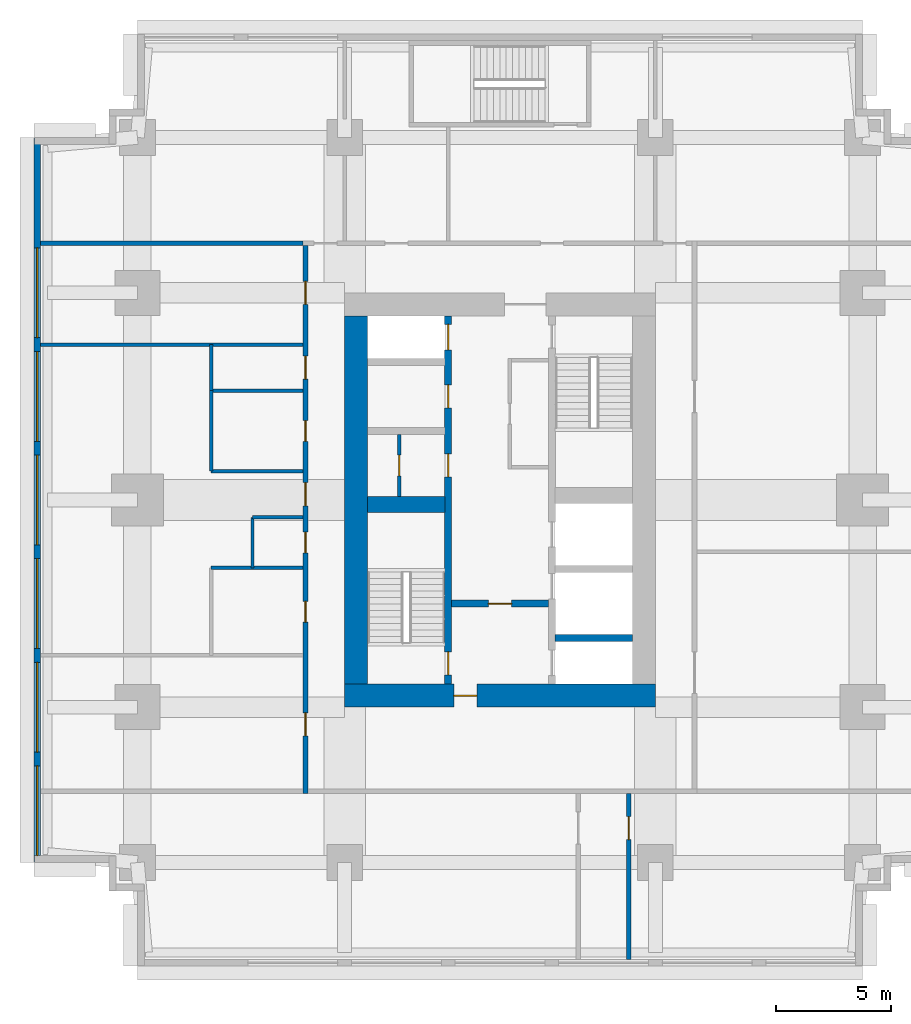
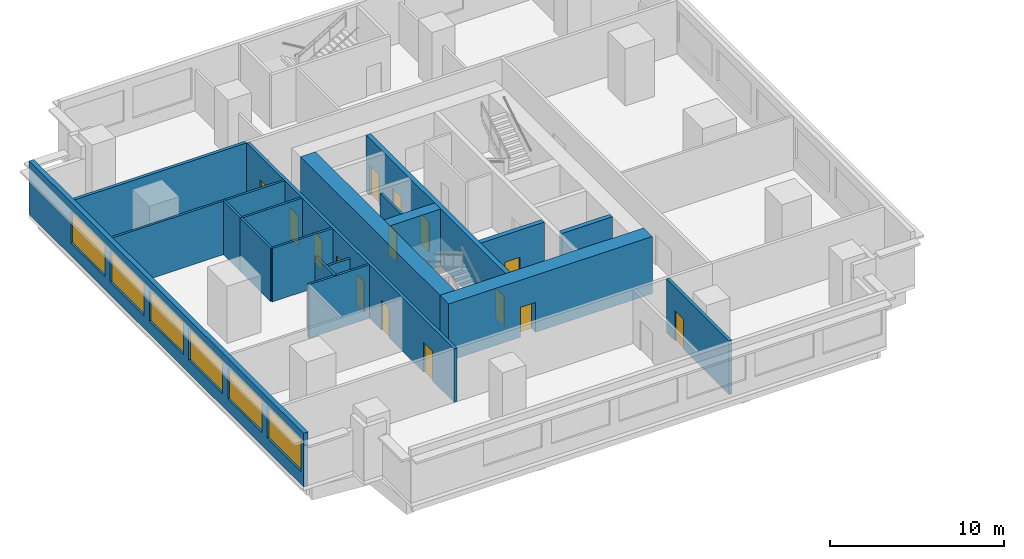
# One storey, part 3 of 11: 19 walls, 15 doors, 6 windows, 21 openings.
"""IFC4 building model written with IfcOpenShell, lengths in metres."""

from ifc_helpers import new_model, si_unit, direction, frame, frame_2d, origin, place, context, subcontext, project, spatial, rectangle, extrude, material, layer, layer_set, type_object, element, fill, save


model = new_model("IFC4")

# Units and contexts
model_context = context("Model", 3, precision=1e-05, world=origin(), true_north=direction((0.0, 1.0)))
body_context = subcontext(model_context, "Body", "Model", "MODEL_VIEW")
ifc_project = project(units=[si_unit("LENGTHUNIT", "METRE"), si_unit("AREAUNIT", "SQUARE_METRE"), si_unit("VOLUMEUNIT", "CUBIC_METRE"), si_unit("PLANEANGLEUNIT", "RADIAN"), si_unit("MASSUNIT", "GRAM", prefix="KILO")], contexts=[model_context])

# Site, building, storey
site_placement = place(None, origin())
site = spatial("IfcSite", under=ifc_project, at=site_placement, CompositionType="ELEMENT")
building_placement = place(site_placement, origin())
building = spatial("IfcBuilding", under=site, at=building_placement, Name="Namib Vertical Campus", CompositionType="ELEMENT")
storey_placement = place(building_placement, frame((0.0, 0.0, 205.0)))
storey = spatial("IfcBuildingStorey", under=building, at=storey_placement, Name="L48", CompositionType="ELEMENT", Elevation=205.0)

# Wall, openings, doors
ifc_material_1 = material(Name="Concrete C60/75", Category="concrete")
ifc_layer_1 = layer(ifc_material_1, 0.300048828125)
ifc_layer_set_1 = layer_set([ifc_layer_1], Name="Concrete C60/75")
wall_type_1 = type_object("IfcWallType", Name="Core inner wall 300", PredefinedType="SHEAR", material=ifc_layer_set_1)
wall_1_placement = place(storey_placement, frame((18.0, 12.25, 0.0), z_axis=(0.0, 0.0, 1.0), x_axis=(0.0, 1.0, 0.0)))
wall_1 = element("IfcWall", 1, at=wall_1_placement, inside=storey, type_object=wall_type_1, Name="Core inner wall A L48 W1", PredefinedType="SHEAR", context=body_context, shape_type="SweptSolid", body=[
    extrude(rectangle(XDim=16.0, YDim=0.300048828125, at=frame_2d((8.0, 0.0))), origin(), (0.0, 0.0, 1.0), 4.0),
])
opening_1_placement = place(wall_1_placement, frame((0.39990234375, 0.0, 0.0)))
opening_1 = element("IfcOpeningElement", 2, at=opening_1_placement, cuts=wall_1, Name="Opening FD1", PredefinedType="OPENING", context=body_context, shape_type="SweptSolid", body=[
    extrude(rectangle(XDim=1.0, YDim=2.10009765625, at=frame_2d((0.5, 1.050048828125))), frame((0.0, 0.159912109375, 0.0), z_axis=(0.0, -1.0, 0.0), x_axis=(1.0, 0.0, 0.0)), (0.0, 0.0, 1.0), 0.320068359375),
])
opening_2_placement = place(wall_1_placement, frame((14.52490234375, 0.0, 0.0)))
opening_2 = element("IfcOpeningElement", 3, at=opening_2_placement, cuts=wall_1, Name="Opening LD1", PredefinedType="OPENING", context=body_context, shape_type="SweptSolid", body=[
    extrude(rectangle(XDim=1.10009765625, YDim=2.10009765625, at=frame_2d((0.550048828125, 1.050048828125))), frame((0.0, 0.159912109375, 0.0), z_axis=(0.0, -1.0, 0.0), x_axis=(1.0, 0.0, 0.0)), (0.0, 0.0, 1.0), 0.320068359375),
])
opening_3_placement = place(wall_1_placement, frame((9.0, 0.0, 0.0)))
opening_3 = element("IfcOpeningElement", 4, at=opening_3_placement, cuts=wall_1, Name="Opening D1", PredefinedType="OPENING", context=body_context, shape_type="SweptSolid", body=[
    extrude(rectangle(XDim=1.0, YDim=2.10009765625, at=frame_2d((0.5, 1.050048828125))), frame((0.0, 0.159912109375, 0.0), z_axis=(0.0, -1.0, 0.0), x_axis=(1.0, 0.0, 0.0)), (0.0, 0.0, 1.0), 0.320068359375),
])
opening_4_placement = place(wall_1_placement, frame((12.0, 0.0, 0.0)))
opening_4 = element("IfcOpeningElement", 5, at=opening_4_placement, cuts=wall_1, Name="Opening D1", PredefinedType="OPENING", context=body_context, shape_type="SweptSolid", body=[
    extrude(rectangle(XDim=1.0, YDim=2.10009765625, at=frame_2d((0.5, 1.050048828125))), frame((0.0, 0.159912109375, 0.0), z_axis=(0.0, -1.0, 0.0), x_axis=(1.0, 0.0, 0.0)), (0.0, 0.0, 1.0), 0.320068359375),
])
ifc_material_2 = material(Name="Timber door leaf", Category="wood")
door_type_1 = type_object("IfcDoorType", Name="Door single 1000x2100", OperationType="SINGLE_SWING_LEFT", PredefinedType="DOOR", material=ifc_material_2)
door_1_placement = place(opening_3_placement, origin())
door_1 = element("IfcDoor", 6, at=door_1_placement, inside=storey, type_object=door_type_1, Name="Door D1 Records store A L48 P1", OperationType="SINGLE_SWING_LEFT", OverallHeight=2.10009765625, OverallWidth=1.0, PredefinedType="DOOR", context=body_context, shape_type="SweptSolid", body=[
    extrude(rectangle(XDim=1.0, YDim=2.10009765625, at=frame_2d((0.5, 1.050048828125))), frame((0.0, 0.02490234375, 0.0), z_axis=(0.0, -1.0, 0.0), x_axis=(1.0, 0.0, 0.0)), (0.0, 0.0, 1.0), 0.050048828125),
])
fill(opening_3, door_1)
door_2_placement = place(opening_4_placement, origin())
door_2 = element("IfcDoor", 7, at=door_2_placement, inside=storey, type_object=door_type_1, Name="Door D1 Staff pantry A L48 P2", OperationType="SINGLE_SWING_LEFT", OverallHeight=2.10009765625, OverallWidth=1.0, PredefinedType="DOOR", context=body_context, shape_type="SweptSolid", body=[
    extrude(rectangle(XDim=1.0, YDim=2.10009765625, at=frame_2d((0.5, 1.050048828125))), frame((0.0, 0.02490234375, 0.0), z_axis=(0.0, -1.0, 0.0), x_axis=(1.0, 0.0, 0.0)), (0.0, 0.0, 1.0), 0.050048828125),
])
fill(opening_4, door_2)
ifc_material_3 = material(Name="Steel fire door", Category="steel")
door_type_2 = type_object("IfcDoorType", Name="Fire door 1000x2100", OperationType="SINGLE_SWING_RIGHT", PredefinedType="DOOR", material=ifc_material_3)
door_3_placement = place(opening_1_placement, origin())
door_3 = element("IfcDoor", 8, at=door_3_placement, inside=storey, type_object=door_type_2, Name="Stair door FD1 A L48 S1", OperationType="SINGLE_SWING_LEFT", OverallHeight=2.10009765625, OverallWidth=1.0, PredefinedType="DOOR", context=body_context, shape_type="SweptSolid", body=[
    extrude(rectangle(XDim=1.0, YDim=2.10009765625, at=frame_2d((0.5, 1.050048828125))), frame((0.0, 0.02490234375, 0.0), z_axis=(0.0, -1.0, 0.0), x_axis=(1.0, 0.0, 0.0)), (0.0, 0.0, 1.0), 0.050048828125),
])
fill(opening_1, door_3)
ifc_material_4 = material(Name="Stainless steel lift door", Category="steel")
door_type_3 = type_object("IfcDoorType", Name="Lift landing door 1100x2100", OperationType="DOUBLE_DOOR_SLIDING", PredefinedType="DOOR", material=ifc_material_4)
door_4_placement = place(opening_2_placement, origin())
door_4 = element("IfcDoor", 9, at=door_4_placement, inside=storey, type_object=door_type_3, Name="Lift landing door LD1 A-P3 L48", OperationType="DOUBLE_DOOR_SLIDING", OverallHeight=2.10009765625, OverallWidth=1.10009765625, PredefinedType="DOOR", context=body_context, shape_type="SweptSolid", body=[
    extrude(rectangle(XDim=1.10009765625, YDim=2.10009765625, at=frame_2d((0.550048828125, 1.050048828125))), frame((0.0, 0.02490234375, 0.0), z_axis=(0.0, -1.0, 0.0), x_axis=(1.0, 0.0, 0.0)), (0.0, 0.0, 1.0), 0.050048828125),
])
fill(opening_2, door_4)

# Wall, opening, door
wall_2_placement = place(storey_placement, frame((18.14990234375, 15.75, 0.0), z_axis=(0.0, 0.0, 1.0), x_axis=(1.0, 0.0, 0.0)))
wall_2 = element("IfcWall", 10, at=wall_2_placement, inside=storey, type_object=wall_type_1, Name="Core inner wall A L48 W4", PredefinedType="SHEAR", context=body_context, shape_type="SweptSolid", body=[
    extrude(rectangle(XDim=4.2001953125, YDim=0.300048828125, at=frame_2d((2.10009765625, 0.0))), origin(), (0.0, 0.0, 1.0), 4.0),
])
opening_5_placement = place(wall_2_placement, frame((1.60009765625, 0.0, 0.0)))
opening_5 = element("IfcOpeningElement", 11, at=opening_5_placement, cuts=wall_2, Name="Opening FD5", PredefinedType="OPENING", context=body_context, shape_type="SweptSolid", body=[
    extrude(rectangle(XDim=1.0, YDim=2.10009765625, at=frame_2d((0.5, 1.050048828125))), frame((0.0, 0.159912109375, 0.0), z_axis=(0.0, -1.0, 0.0), x_axis=(1.0, 0.0, 0.0)), (0.0, 0.0, 1.0), 0.320068359375),
])
ifc_material_5 = material(Name="Steel fire door", Category="steel")
door_type_4 = type_object("IfcDoorType", Name="Fire door 1000x2100 120 min", OperationType="SINGLE_SWING_RIGHT", PredefinedType="DOOR", material=ifc_material_5)
door_5_placement = place(opening_5_placement, frame((1.0, 0.0, 0.0), z_axis=(0.0, 0.0, 1.0), x_axis=(-1.0, 0.0, 0.0)))
door_5 = element("IfcDoor", 12, at=door_5_placement, inside=storey, type_object=door_type_4, Name="Lobby door FD5 A L48", OperationType="SINGLE_SWING_RIGHT", OverallHeight=2.10009765625, OverallWidth=1.0, PredefinedType="DOOR", context=body_context, shape_type="SweptSolid", body=[
    extrude(rectangle(XDim=1.0, YDim=2.10009765625, at=frame_2d((0.5, 1.050048828125))), frame((0.0, 0.02490234375, 0.0), z_axis=(0.0, -1.0, 0.0), x_axis=(1.0, 0.0, 0.0)), (0.0, 0.0, 1.0), 0.050048828125),
])
fill(opening_5, door_5)

# Walls
wall_3_placement = place(storey_placement, frame((22.64990234375, 14.25, 0.0), z_axis=(0.0, 0.0, 1.0), x_axis=(1.0, 0.0, 0.0)))
element("IfcWall", 13, at=wall_3_placement, inside=storey, type_object=wall_type_1, Name="Core inner wall A L48 W5", PredefinedType="SHEAR", context=body_context, shape_type="SweptSolid", body=[
    extrude(rectangle(XDim=3.35009765625, YDim=0.300048828125, at=frame_2d((1.675048828125, 0.0))), origin(), (0.0, 0.0, 1.0), 4.0),
])
ifc_material_6 = material(Name="Concrete C60/75", Category="concrete")
ifc_layer_2 = layer(ifc_material_6, 0.699951171875)
ifc_layer_set_2 = layer_set([ifc_layer_2], Name="Concrete C60/75")
wall_type_2 = type_object("IfcWallType", Name="Core shear wall 700", PredefinedType="SHEAR", material=ifc_layer_set_2)
wall_4_placement = place(storey_placement, frame((14.5, 20.050048828125, 0.0), z_axis=(0.0, 0.0, 1.0), x_axis=(1.0, 0.0, 0.0)))
element("IfcWall", 14, at=wall_4_placement, inside=storey, type_object=wall_type_2, Name="Core shear wall A L48 W3", PredefinedType="SHEAR", context=body_context, shape_type="SweptSolid", body=[
    extrude(rectangle(XDim=3.35009765625, YDim=0.699951171875, at=frame_2d((1.675048828125, 0.0))), origin(), (0.0, 0.0, 1.0), 4.0),
])

# Wall, opening, door
ifc_material_7 = material(Name="Concrete C60/75", Category="concrete")
ifc_layer_3 = layer(ifc_material_7, 1.0)
ifc_layer_set_3 = layer_set([ifc_layer_3], Name="Concrete C60/75")
wall_type_3 = type_object("IfcWallType", Name="Core wall 1000", PredefinedType="SHEAR", material=ifc_layer_set_3)
wall_5_placement = place(storey_placement, frame((13.5, 11.75, 0.0), z_axis=(0.0, 0.0, 1.0), x_axis=(1.0, 0.0, 0.0)))
wall_5 = element("IfcWall", 15, at=wall_5_placement, inside=storey, type_object=wall_type_3, Name="Core wall A L48 1", PredefinedType="SHEAR", context=body_context, shape_type="SweptSolid", body=[
    extrude(rectangle(XDim=13.5, YDim=1.0, at=frame_2d((6.75, 0.0))), origin(), (0.0, 0.0, 1.0), 4.0),
])
opening_6_placement = place(wall_5_placement, frame((4.75, 0.0, 0.0)))
opening_6 = element("IfcOpeningElement", 16, at=opening_6_placement, cuts=wall_5, Name="Opening FD5", PredefinedType="OPENING", context=body_context, shape_type="SweptSolid", body=[
    extrude(rectangle(XDim=1.0, YDim=2.10009765625, at=frame_2d((0.5, 1.050048828125))), frame((0.0, 0.510009765625, 0.0), z_axis=(0.0, -1.0, 0.0), x_axis=(1.0, 0.0, 0.0)), (0.0, 0.0, 1.0), 1.02001953125),
])
door_6_placement = place(opening_6_placement, origin())
door_6 = element("IfcDoor", 17, at=door_6_placement, inside=storey, type_object=door_type_4, Name="Firefighting lobby door FD5 A L48", OperationType="SINGLE_SWING_LEFT", OverallHeight=2.10009765625, OverallWidth=1.0, PredefinedType="DOOR", context=body_context, shape_type="SweptSolid", body=[
    extrude(rectangle(XDim=1.0, YDim=2.10009765625, at=frame_2d((0.5, 1.050048828125))), frame((0.0, 0.02490234375, 0.0), z_axis=(0.0, -1.0, 0.0), x_axis=(1.0, 0.0, 0.0)), (0.0, 0.0, 1.0), 0.050048828125),
])
fill(opening_6, door_6)

# Wall
wall_6_placement = place(storey_placement, frame((14.0, 28.25, 0.0), z_axis=(0.0, 0.0, 1.0), x_axis=(0.0, -1.0, 0.0)))
element("IfcWall", 18, at=wall_6_placement, inside=storey, type_object=wall_type_3, Name="Core wall A L48 4", PredefinedType="SHEAR", context=body_context, shape_type="SweptSolid", body=[
    extrude(rectangle(XDim=16.0, YDim=1.0, at=frame_2d((8.0, 0.0))), origin(), (0.0, 0.0, 1.0), 4.0),
])

# Wall, openings, doors
ifc_material_8 = material(Name="Concrete masonry", Category="masonry")
ifc_layer_4 = layer(ifc_material_8, 0.199951171875)
ifc_layer_set_4 = layer_set([ifc_layer_4], Name="Corridor wall 200")
wall_type_4 = type_object("IfcWallType", Name="Corridor wall 200", PredefinedType="SOLIDWALL", material=ifc_layer_set_4)
wall_7_placement = place(storey_placement, frame((11.800048828125, 31.300048828125, 0.0), z_axis=(0.0, 0.0, 1.0), x_axis=(0.0, -1.0, 0.0)))
wall_7 = element("IfcWall", 19, at=wall_7_placement, inside=storey, type_object=wall_type_4, Name="Corridor wall A L48 CW", PredefinedType="SOLIDWALL", context=body_context, shape_type="SweptSolid", body=[
    extrude(rectangle(XDim=23.800048828125, YDim=0.199951171875, at=frame_2d((11.89990234375, 0.0))), origin(), (0.0, 0.0, 1.0), 3.75),
])
opening_7_placement = place(wall_7_placement, frame((20.300048828125, 0.0, 0.0)))
opening_7 = element("IfcOpeningElement", 20, at=opening_7_placement, cuts=wall_7, Name="Opening CD1", PredefinedType="OPENING", context=body_context, shape_type="SweptSolid", body=[
    extrude(rectangle(XDim=1.0, YDim=2.10009765625, at=frame_2d((0.5, 1.050048828125))), frame((0.0, 0.10986328125, 0.0), z_axis=(0.0, -1.0, 0.0), x_axis=(1.0, 0.0, 0.0)), (0.0, 0.0, 1.0), 0.219970703125),
])
opening_8_placement = place(wall_7_placement, frame((15.449951171875, 0.0, 0.0)))
opening_8 = element("IfcOpeningElement", 21, at=opening_8_placement, cuts=wall_7, Name="Opening CD3", PredefinedType="OPENING", context=body_context, shape_type="SweptSolid", body=[
    extrude(rectangle(XDim=0.89990234375, YDim=2.10009765625, at=frame_2d((0.449951171875, 1.050048828125))), frame((0.0, 0.10986328125, 0.0), z_axis=(0.0, -1.0, 0.0), x_axis=(1.0, 0.0, 0.0)), (0.0, 0.0, 1.0), 0.219970703125),
])
opening_9_placement = place(wall_7_placement, frame((12.449951171875, 0.0, 0.0)))
opening_9 = element("IfcOpeningElement", 22, at=opening_9_placement, cuts=wall_7, Name="Opening CD3", PredefinedType="OPENING", context=body_context, shape_type="SweptSolid", body=[
    extrude(rectangle(XDim=0.89990234375, YDim=2.10009765625, at=frame_2d((0.449951171875, 1.050048828125))), frame((0.0, 0.10986328125, 0.0), z_axis=(0.0, -1.0, 0.0), x_axis=(1.0, 0.0, 0.0)), (0.0, 0.0, 1.0), 0.219970703125),
])
opening_10_placement = place(wall_7_placement, frame((7.60009765625, 0.0, 0.0)))
opening_10 = element("IfcOpeningElement", 23, at=opening_10_placement, cuts=wall_7, Name="Opening CD3", PredefinedType="OPENING", context=body_context, shape_type="SweptSolid", body=[
    extrude(rectangle(XDim=0.89990234375, YDim=2.10009765625, at=frame_2d((0.449951171875, 1.050048828125))), frame((0.0, 0.10986328125, 0.0), z_axis=(0.0, -1.0, 0.0), x_axis=(1.0, 0.0, 0.0)), (0.0, 0.0, 1.0), 0.219970703125),
])
opening_11_placement = place(wall_7_placement, frame((4.800048828125, 0.0, 0.0)))
opening_11 = element("IfcOpeningElement", 24, at=opening_11_placement, cuts=wall_7, Name="Opening CD1", PredefinedType="OPENING", context=body_context, shape_type="SweptSolid", body=[
    extrude(rectangle(XDim=1.0, YDim=2.10009765625, at=frame_2d((0.5, 1.050048828125))), frame((0.0, 0.10986328125, 0.0), z_axis=(0.0, -1.0, 0.0), x_axis=(1.0, 0.0, 0.0)), (0.0, 0.0, 1.0), 0.219970703125),
])
opening_12_placement = place(wall_7_placement, frame((10.300048828125, 0.0, 0.0)))
opening_12 = element("IfcOpeningElement", 25, at=opening_12_placement, cuts=wall_7, Name="Opening CD1", PredefinedType="OPENING", context=body_context, shape_type="SweptSolid", body=[
    extrude(rectangle(XDim=1.0, YDim=2.10009765625, at=frame_2d((0.5, 1.050048828125))), frame((0.0, 0.10986328125, 0.0), z_axis=(0.0, -1.0, 0.0), x_axis=(1.0, 0.0, 0.0)), (0.0, 0.0, 1.0), 0.219970703125),
])
opening_13_placement = place(wall_7_placement, frame((1.550048828125, 0.0, 0.0)))
opening_13 = element("IfcOpeningElement", 26, at=opening_13_placement, cuts=wall_7, Name="Opening CD1", PredefinedType="OPENING", context=body_context, shape_type="SweptSolid", body=[
    extrude(rectangle(XDim=1.0, YDim=2.10009765625, at=frame_2d((0.5, 1.050048828125))), frame((0.0, 0.10986328125, 0.0), z_axis=(0.0, -1.0, 0.0), x_axis=(1.0, 0.0, 0.0)), (0.0, 0.0, 1.0), 0.219970703125),
])
ifc_material_9 = material(Name="Timber fire door leaf", Category="wood")
door_type_5 = type_object("IfcDoorType", Name="Corridor door 1000x2100 20 min", OperationType="SINGLE_SWING_LEFT", PredefinedType="DOOR", material=ifc_material_9)
door_7_placement = place(opening_7_placement, frame((1.0, 0.0, 0.0), z_axis=(0.0, 0.0, 1.0), x_axis=(-1.0, 0.0, 0.0)))
door_7 = element("IfcDoor", 27, at=door_7_placement, inside=storey, type_object=door_type_5, Name="Door CD1 A48-09", OperationType="SINGLE_SWING_RIGHT", OverallHeight=2.10009765625, OverallWidth=1.0, PredefinedType="DOOR", context=body_context, shape_type="SweptSolid", body=[
    extrude(rectangle(XDim=1.0, YDim=2.10009765625, at=frame_2d((0.5, 1.050048828125))), frame((0.0, 0.02490234375, 0.0), z_axis=(0.0, -1.0, 0.0), x_axis=(1.0, 0.0, 0.0)), (0.0, 0.0, 1.0), 0.050048828125),
])
fill(opening_7, door_7)
door_8_placement = place(opening_11_placement, frame((1.0, 0.0, 0.0), z_axis=(0.0, 0.0, 1.0), x_axis=(-1.0, 0.0, 0.0)))
door_8 = element("IfcDoor", 28, at=door_8_placement, inside=storey, type_object=door_type_5, Name="Door CD1 A48-13", OperationType="SINGLE_SWING_RIGHT", OverallHeight=2.10009765625, OverallWidth=1.0, PredefinedType="DOOR", context=body_context, shape_type="SweptSolid", body=[
    extrude(rectangle(XDim=1.0, YDim=2.10009765625, at=frame_2d((0.5, 1.050048828125))), frame((0.0, 0.02490234375, 0.0), z_axis=(0.0, -1.0, 0.0), x_axis=(1.0, 0.0, 0.0)), (0.0, 0.0, 1.0), 0.050048828125),
])
fill(opening_11, door_8)
door_9_placement = place(opening_12_placement, frame((1.0, 0.0, 0.0), z_axis=(0.0, 0.0, 1.0), x_axis=(-1.0, 0.0, 0.0)))
door_9 = element("IfcDoor", 29, at=door_9_placement, inside=storey, type_object=door_type_5, Name="Door CD1 A48-14", OperationType="SINGLE_SWING_RIGHT", OverallHeight=2.10009765625, OverallWidth=1.0, PredefinedType="DOOR", context=body_context, shape_type="SweptSolid", body=[
    extrude(rectangle(XDim=1.0, YDim=2.10009765625, at=frame_2d((0.5, 1.050048828125))), frame((0.0, 0.02490234375, 0.0), z_axis=(0.0, -1.0, 0.0), x_axis=(1.0, 0.0, 0.0)), (0.0, 0.0, 1.0), 0.050048828125),
])
fill(opening_12, door_9)
door_10_placement = place(opening_13_placement, frame((1.0, 0.0, 0.0), z_axis=(0.0, 0.0, 1.0), x_axis=(-1.0, 0.0, 0.0)))
door_10 = element("IfcDoor", 30, at=door_10_placement, inside=storey, type_object=door_type_5, Name="Door CD1 A48-15", OperationType="SINGLE_SWING_RIGHT", OverallHeight=2.10009765625, OverallWidth=1.0, PredefinedType="DOOR", context=body_context, shape_type="SweptSolid", body=[
    extrude(rectangle(XDim=1.0, YDim=2.10009765625, at=frame_2d((0.5, 1.050048828125))), frame((0.0, 0.02490234375, 0.0), z_axis=(0.0, -1.0, 0.0), x_axis=(1.0, 0.0, 0.0)), (0.0, 0.0, 1.0), 0.050048828125),
])
fill(opening_13, door_10)
ifc_material_10 = material(Name="Timber fire door leaf", Category="wood")
door_type_6 = type_object("IfcDoorType", Name="Corridor toilet door 900x2100 20 min", OperationType="SINGLE_SWING_LEFT", PredefinedType="DOOR", material=ifc_material_10)
door_11_placement = place(opening_8_placement, frame((0.89990234375, 0.0, 0.0), z_axis=(0.0, 0.0, 1.0), x_axis=(-1.0, 0.0, 0.0)))
door_11 = element("IfcDoor", 31, at=door_11_placement, inside=storey, type_object=door_type_6, Name="Door CD3 A48-10", OperationType="SINGLE_SWING_RIGHT", OverallHeight=2.10009765625, OverallWidth=0.89990234375, PredefinedType="DOOR", context=body_context, shape_type="SweptSolid", body=[
    extrude(rectangle(XDim=0.89990234375, YDim=2.10009765625, at=frame_2d((0.449951171875, 1.050048828125))), frame((0.0, 0.02490234375, 0.0), z_axis=(0.0, -1.0, 0.0), x_axis=(1.0, 0.0, 0.0)), (0.0, 0.0, 1.0), 0.050048828125),
])
fill(opening_8, door_11)
door_12_placement = place(opening_9_placement, frame((0.89990234375, 0.0, 0.0), z_axis=(0.0, 0.0, 1.0), x_axis=(-1.0, 0.0, 0.0)))
door_12 = element("IfcDoor", 32, at=door_12_placement, inside=storey, type_object=door_type_6, Name="Door CD3 A48-11", OperationType="SINGLE_SWING_RIGHT", OverallHeight=2.10009765625, OverallWidth=0.89990234375, PredefinedType="DOOR", context=body_context, shape_type="SweptSolid", body=[
    extrude(rectangle(XDim=0.89990234375, YDim=2.10009765625, at=frame_2d((0.449951171875, 1.050048828125))), frame((0.0, 0.02490234375, 0.0), z_axis=(0.0, -1.0, 0.0), x_axis=(1.0, 0.0, 0.0)), (0.0, 0.0, 1.0), 0.050048828125),
])
fill(opening_9, door_12)
door_13_placement = place(opening_10_placement, frame((0.89990234375, 0.0, 0.0), z_axis=(0.0, 0.0, 1.0), x_axis=(-1.0, 0.0, 0.0)))
door_13 = element("IfcDoor", 33, at=door_13_placement, inside=storey, type_object=door_type_6, Name="Door CD3 A48-12", OperationType="SINGLE_SWING_RIGHT", OverallHeight=2.10009765625, OverallWidth=0.89990234375, PredefinedType="DOOR", context=body_context, shape_type="SweptSolid", body=[
    extrude(rectangle(XDim=0.89990234375, YDim=2.10009765625, at=frame_2d((0.449951171875, 1.050048828125))), frame((0.0, 0.02490234375, 0.0), z_axis=(0.0, -1.0, 0.0), x_axis=(1.0, 0.0, 0.0)), (0.0, 0.0, 1.0), 0.050048828125),
])
fill(opening_10, door_13)

# Wall, opening, door
wall_8_placement = place(storey_placement, frame((25.85009765625, 7.5, 0.0), z_axis=(0.0, 0.0, 1.0), x_axis=(0.0, -1.0, 0.0)))
wall_8 = element("IfcWall", 34, at=wall_8_placement, inside=storey, type_object=wall_type_4, Name="Corridor wall A L48 SPS2", PredefinedType="SOLIDWALL", context=body_context, shape_type="SweptSolid", body=[
    extrude(rectangle(XDim=7.199951171875, YDim=0.199951171875, at=frame_2d((3.60009765625, 0.0))), origin(), (0.0, 0.0, 1.0), 3.75),
])
opening_14_placement = place(wall_8_placement, frame((1.0, 0.0, 0.0)))
opening_14 = element("IfcOpeningElement", 35, at=opening_14_placement, cuts=wall_8, Name="Opening CD1", PredefinedType="OPENING", context=body_context, shape_type="SweptSolid", body=[
    extrude(rectangle(XDim=1.0, YDim=2.10009765625, at=frame_2d((0.5, 1.050048828125))), frame((0.0, 0.10986328125, 0.0), z_axis=(0.0, -1.0, 0.0), x_axis=(1.0, 0.0, 0.0)), (0.0, 0.0, 1.0), 0.219970703125),
])
door_14_placement = place(opening_14_placement, origin())
door_14 = element("IfcDoor", 36, at=door_14_placement, inside=storey, type_object=door_type_5, Name="Door CD1 A48-02", OperationType="SINGLE_SWING_LEFT", OverallHeight=2.10009765625, OverallWidth=1.0, PredefinedType="DOOR", context=body_context, shape_type="SweptSolid", body=[
    extrude(rectangle(XDim=1.0, YDim=2.10009765625, at=frame_2d((0.5, 1.050048828125))), frame((0.0, 0.02490234375, 0.0), z_axis=(0.0, -1.0, 0.0), x_axis=(1.0, 0.0, 0.0)), (0.0, 0.0, 1.0), 0.050048828125),
])
fill(opening_14, door_14)

# Wall
wall_9_placement = place(storey_placement, frame((0.300048828125, 31.39990234375, 0.0), z_axis=(0.0, 0.0, 1.0), x_axis=(1.0, 0.0, 0.0)))
element("IfcWall", 37, at=wall_9_placement, inside=storey, type_object=wall_type_4, Name="Partition A L48 BNW", PredefinedType="SOLIDWALL", context=body_context, shape_type="SweptSolid", body=[
    extrude(rectangle(XDim=11.39990234375, YDim=0.199951171875, at=frame_2d((5.699951171875, 0.0))), origin(), (0.0, 0.0, 1.0), 3.75),
])

# Wall, openings, windows
ifc_material_11 = material(Name="Concrete C40/50", Category="concrete")
ifc_layer_5 = layer(ifc_material_11, 0.300048828125)
ifc_layer_set_5 = layer_set([ifc_layer_5], Name="Concrete C40/50")
wall_type_5 = type_object("IfcWallType", Name="External wall 300 board-marked concrete", PredefinedType="STANDARD", material=ifc_layer_set_5)
wall_10_placement = place(storey_placement, frame((0.14990234375, 35.97998046875, 0.0), z_axis=(0.0, 0.0, 1.0), x_axis=(0.0, -1.0, 0.0)))
wall_10 = element("IfcWall", 38, at=wall_10_placement, inside=storey, type_object=wall_type_5, Name="External wall L48 F16", PredefinedType="STANDARD", context=body_context, shape_type="SweptSolid", body=[
    extrude(rectangle(XDim=31.4599609375, YDim=0.300048828125, at=frame_2d((15.72998046875, 0.0))), origin(), (0.0, 0.0, 1.0), 3.75),
])
opening_15_placement = place(wall_10_placement, frame((27.280029296875, 0.0, 0.89990234375)))
opening_15 = element("IfcOpeningElement", 39, at=opening_15_placement, cuts=wall_10, Name="Opening W1", PredefinedType="OPENING", context=body_context, shape_type="SweptSolid", body=[
    extrude(rectangle(XDim=3.89990234375, YDim=2.199951171875, at=frame_2d((1.949951171875, 1.10009765625))), frame((0.0, 0.159912109375, 0.0), z_axis=(0.0, -1.0, 0.0), x_axis=(1.0, 0.0, 0.0)), (0.0, 0.0, 1.0), 0.320068359375),
])
opening_16_placement = place(wall_10_placement, frame((22.780029296875, 0.0, 0.89990234375)))
opening_16 = element("IfcOpeningElement", 40, at=opening_16_placement, cuts=wall_10, Name="Opening W1", PredefinedType="OPENING", context=body_context, shape_type="SweptSolid", body=[
    extrude(rectangle(XDim=3.89990234375, YDim=2.199951171875, at=frame_2d((1.949951171875, 1.10009765625))), frame((0.0, 0.159912109375, 0.0), z_axis=(0.0, -1.0, 0.0), x_axis=(1.0, 0.0, 0.0)), (0.0, 0.0, 1.0), 0.320068359375),
])
opening_17_placement = place(wall_10_placement, frame((18.280029296875, 0.0, 0.89990234375)))
opening_17 = element("IfcOpeningElement", 41, at=opening_17_placement, cuts=wall_10, Name="Opening W1", PredefinedType="OPENING", context=body_context, shape_type="SweptSolid", body=[
    extrude(rectangle(XDim=3.89990234375, YDim=2.199951171875, at=frame_2d((1.949951171875, 1.10009765625))), frame((0.0, 0.159912109375, 0.0), z_axis=(0.0, -1.0, 0.0), x_axis=(1.0, 0.0, 0.0)), (0.0, 0.0, 1.0), 0.320068359375),
])
opening_18_placement = place(wall_10_placement, frame((13.780029296875, 0.0, 0.89990234375)))
opening_18 = element("IfcOpeningElement", 42, at=opening_18_placement, cuts=wall_10, Name="Opening W1", PredefinedType="OPENING", context=body_context, shape_type="SweptSolid", body=[
    extrude(rectangle(XDim=3.89990234375, YDim=2.199951171875, at=frame_2d((1.949951171875, 1.10009765625))), frame((0.0, 0.159912109375, 0.0), z_axis=(0.0, -1.0, 0.0), x_axis=(1.0, 0.0, 0.0)), (0.0, 0.0, 1.0), 0.320068359375),
])
opening_19_placement = place(wall_10_placement, frame((9.280029296875, 0.0, 0.89990234375)))
opening_19 = element("IfcOpeningElement", 43, at=opening_19_placement, cuts=wall_10, Name="Opening W1", PredefinedType="OPENING", context=body_context, shape_type="SweptSolid", body=[
    extrude(rectangle(XDim=3.89990234375, YDim=2.199951171875, at=frame_2d((1.949951171875, 1.10009765625))), frame((0.0, 0.159912109375, 0.0), z_axis=(0.0, -1.0, 0.0), x_axis=(1.0, 0.0, 0.0)), (0.0, 0.0, 1.0), 0.320068359375),
])
opening_20_placement = place(wall_10_placement, frame((4.780029296875, 0.0, 0.89990234375)))
opening_20 = element("IfcOpeningElement", 44, at=opening_20_placement, cuts=wall_10, Name="Opening W1", PredefinedType="OPENING", context=body_context, shape_type="SweptSolid", body=[
    extrude(rectangle(XDim=3.89990234375, YDim=2.199951171875, at=frame_2d((1.949951171875, 1.10009765625))), frame((0.0, 0.159912109375, 0.0), z_axis=(0.0, -1.0, 0.0), x_axis=(1.0, 0.0, 0.0)), (0.0, 0.0, 1.0), 0.320068359375),
])
ifc_material_12 = material(Name="Dark tinted glass in black aluminium frame", Category="aluminium")
window_type = type_object("IfcWindowType", Name="Ribbon window 3900x2200", PartitioningType="SINGLE_PANEL", PredefinedType="WINDOW", material=ifc_material_12)
window_1_placement = place(opening_15_placement, origin())
window_1 = element("IfcWindow", 45, at=window_1_placement, inside=storey, type_object=window_type, Name="Window W1 L48 F16-1", OverallHeight=2.199951171875, OverallWidth=3.89990234375, PartitioningType="SINGLE_PANEL", PredefinedType="WINDOW", context=body_context, shape_type="SweptSolid", body=[
    extrude(rectangle(XDim=3.89990234375, YDim=2.199951171875, at=frame_2d((1.949951171875, 1.10009765625))), frame((0.0, 0.030029296875, 0.0), z_axis=(0.0, -1.0, 0.0), x_axis=(1.0, 0.0, 0.0)), (0.0, 0.0, 1.0), 0.06005859375),
])
fill(opening_15, window_1)
window_2_placement = place(opening_16_placement, origin())
window_2 = element("IfcWindow", 46, at=window_2_placement, inside=storey, type_object=window_type, Name="Window W1 L48 F16-2", OverallHeight=2.199951171875, OverallWidth=3.89990234375, PartitioningType="SINGLE_PANEL", PredefinedType="WINDOW", context=body_context, shape_type="SweptSolid", body=[
    extrude(rectangle(XDim=3.89990234375, YDim=2.199951171875, at=frame_2d((1.949951171875, 1.10009765625))), frame((0.0, 0.030029296875, 0.0), z_axis=(0.0, -1.0, 0.0), x_axis=(1.0, 0.0, 0.0)), (0.0, 0.0, 1.0), 0.06005859375),
])
fill(opening_16, window_2)
window_3_placement = place(opening_17_placement, origin())
window_3 = element("IfcWindow", 47, at=window_3_placement, inside=storey, type_object=window_type, Name="Window W1 L48 F16-3", OverallHeight=2.199951171875, OverallWidth=3.89990234375, PartitioningType="SINGLE_PANEL", PredefinedType="WINDOW", context=body_context, shape_type="SweptSolid", body=[
    extrude(rectangle(XDim=3.89990234375, YDim=2.199951171875, at=frame_2d((1.949951171875, 1.10009765625))), frame((0.0, 0.030029296875, 0.0), z_axis=(0.0, -1.0, 0.0), x_axis=(1.0, 0.0, 0.0)), (0.0, 0.0, 1.0), 0.06005859375),
])
fill(opening_17, window_3)
window_4_placement = place(opening_18_placement, origin())
window_4 = element("IfcWindow", 48, at=window_4_placement, inside=storey, type_object=window_type, Name="Window W1 L48 F16-4", OverallHeight=2.199951171875, OverallWidth=3.89990234375, PartitioningType="SINGLE_PANEL", PredefinedType="WINDOW", context=body_context, shape_type="SweptSolid", body=[
    extrude(rectangle(XDim=3.89990234375, YDim=2.199951171875, at=frame_2d((1.949951171875, 1.10009765625))), frame((0.0, 0.030029296875, 0.0), z_axis=(0.0, -1.0, 0.0), x_axis=(1.0, 0.0, 0.0)), (0.0, 0.0, 1.0), 0.06005859375),
])
fill(opening_18, window_4)
window_5_placement = place(opening_19_placement, origin())
window_5 = element("IfcWindow", 49, at=window_5_placement, inside=storey, type_object=window_type, Name="Window W1 L48 F16-5", OverallHeight=2.199951171875, OverallWidth=3.89990234375, PartitioningType="SINGLE_PANEL", PredefinedType="WINDOW", context=body_context, shape_type="SweptSolid", body=[
    extrude(rectangle(XDim=3.89990234375, YDim=2.199951171875, at=frame_2d((1.949951171875, 1.10009765625))), frame((0.0, 0.030029296875, 0.0), z_axis=(0.0, -1.0, 0.0), x_axis=(1.0, 0.0, 0.0)), (0.0, 0.0, 1.0), 0.06005859375),
])
fill(opening_19, window_5)
window_6_placement = place(opening_20_placement, origin())
window_6 = element("IfcWindow", 50, at=window_6_placement, inside=storey, type_object=window_type, Name="Window W1 L48 F16-6", OverallHeight=2.199951171875, OverallWidth=3.89990234375, PartitioningType="SINGLE_PANEL", PredefinedType="WINDOW", context=body_context, shape_type="SweptSolid", body=[
    extrude(rectangle(XDim=3.89990234375, YDim=2.199951171875, at=frame_2d((1.949951171875, 1.10009765625))), frame((0.0, 0.030029296875, 0.0), z_axis=(0.0, -1.0, 0.0), x_axis=(1.0, 0.0, 0.0)), (0.0, 0.0, 1.0), 0.06005859375),
])
fill(opening_20, window_6)

# Wall, opening, door
ifc_material_13 = material(Name="Gypsum board on steel studs", Category="steel")
ifc_layer_6 = layer(ifc_material_13, 0.14990234375)
ifc_layer_set_6 = layer_set([ifc_layer_6], Name="Gypsum board on steel studs")
wall_type_6 = type_object("IfcWallType", Name="Partition 150", PredefinedType="PARTITIONING", material=ifc_layer_set_6)
wall_11_placement = place(storey_placement, frame((15.875, 20.39990234375, 0.0), z_axis=(0.0, 0.0, 1.0), x_axis=(0.0, 1.0, 0.0)))
wall_11 = element("IfcWall", 51, at=wall_11_placement, inside=storey, type_object=wall_type_6, Name="Partition A L48 Records store P1 back", PredefinedType="PARTITIONING", context=body_context, shape_type="SweptSolid", body=[
    extrude(rectangle(XDim=2.7001953125, YDim=0.14990234375, at=frame_2d((1.35009765625, 0.0))), origin(), (0.0, 0.0, 1.0), 3.75),
])
opening_21_placement = place(wall_11_placement, frame((0.89990234375, 0.0, 0.0)))
opening_21 = element("IfcOpeningElement", 52, at=opening_21_placement, cuts=wall_11, Name="Opening D3", PredefinedType="OPENING", context=body_context, shape_type="SweptSolid", body=[
    extrude(rectangle(XDim=0.89990234375, YDim=2.10009765625, at=frame_2d((0.449951171875, 1.050048828125))), frame((0.0, 0.0849609375, 0.0), z_axis=(0.0, -1.0, 0.0), x_axis=(1.0, 0.0, 0.0)), (0.0, 0.0, 1.0), 0.169921875),
])
ifc_material_14 = material(Name="Timber door leaf", Category="wood")
door_type_7 = type_object("IfcDoorType", Name="Toilet door 900x2100", OperationType="SINGLE_SWING_LEFT", PredefinedType="DOOR", material=ifc_material_14)
door_15_placement = place(opening_21_placement, origin())
door_15 = element("IfcDoor", 53, at=door_15_placement, inside=storey, type_object=door_type_7, Name="Door D3 Store A L48 P1", OperationType="SINGLE_SWING_LEFT", OverallHeight=2.10009765625, OverallWidth=0.89990234375, PredefinedType="DOOR", context=body_context, shape_type="SweptSolid", body=[
    extrude(rectangle(XDim=0.89990234375, YDim=2.10009765625, at=frame_2d((0.449951171875, 1.050048828125))), frame((0.0, 0.02490234375, 0.0), z_axis=(0.0, -1.0, 0.0), x_axis=(1.0, 0.0, 0.0)), (0.0, 0.0, 1.0), 0.050048828125),
])
fill(opening_21, door_15)

# Walls
wall_12_placement = place(storey_placement, frame((0.300048828125, 27.0, 0.0), z_axis=(0.0, 0.0, 1.0), x_axis=(1.0, 0.0, 0.0)))
element("IfcWall", 54, at=wall_12_placement, inside=storey, type_object=wall_type_6, Name="Partition A L48 PW2", PredefinedType="PARTITIONING", context=body_context, shape_type="SweptSolid", body=[
    extrude(rectangle(XDim=11.39990234375, YDim=0.14990234375, at=frame_2d((5.699951171875, 0.0))), origin(), (0.0, 0.0, 1.0), 3.75),
])
wall_13_placement = place(storey_placement, frame((11.699951171875, 17.300048828125, 0.0), z_axis=(0.0, 0.0, 1.0), x_axis=(-1.0, 0.0, 0.0)))
element("IfcWall", 55, at=wall_13_placement, inside=storey, type_object=wall_type_6, Name="Partition A L48 WR1", PredefinedType="PARTITIONING", context=body_context, shape_type="SweptSolid", body=[
    extrude(rectangle(XDim=4.0, YDim=0.14990234375, at=frame_2d((2.0, 0.0))), origin(), (0.0, 0.0, 1.0), 3.75),
])
wall_14_placement = place(storey_placement, frame((11.699951171875, 19.5, 0.0), z_axis=(0.0, 0.0, 1.0), x_axis=(-1.0, 0.0, 0.0)))
element("IfcWall", 56, at=wall_14_placement, inside=storey, type_object=wall_type_6, Name="Partition A L48 WR2", PredefinedType="PARTITIONING", context=body_context, shape_type="SweptSolid", body=[
    extrude(rectangle(XDim=2.199951171875, YDim=0.14990234375, at=frame_2d((1.10009765625, 0.0))), origin(), (0.0, 0.0, 1.0), 2.85009765625),
])
for number, where, z_axis, x_axis, name in (
    (57, (11.699951171875, 21.5, 0.0), (0.0, 0.0, 1.0), (-1.0, 0.0, 0.0), "Partition A L48 WR3"),
    (58, (11.699951171875, 25.0, 0.0), (0.0, 0.0, 1.0), (-1.0, 0.0, 0.0), "Partition A L48 WR4"),
):
    element("IfcWall", number, at=place(storey_placement, frame(where, z_axis=z_axis, x_axis=x_axis)), inside=storey, type_object=wall_type_6, Name=name, PredefinedType="PARTITIONING", context=body_context, shape_type="SweptSolid", body=[
        extrude(rectangle(XDim=4.0, YDim=0.14990234375, at=frame_2d((2.0, 0.0))), origin(), (0.0, 0.0, 1.0), 3.75),
    ])
wall_15_placement = place(storey_placement, frame((9.5, 17.300048828125, 0.0), z_axis=(0.0, 0.0, 1.0), x_axis=(0.0, 1.0, 0.0)))
element("IfcWall", 59, at=wall_15_placement, inside=storey, type_object=wall_type_6, Name="Partition A L48 WB2", PredefinedType="PARTITIONING", context=body_context, shape_type="SweptSolid", body=[
    extrude(rectangle(XDim=2.199951171875, YDim=0.14990234375, at=frame_2d((1.10009765625, 0.0))), origin(), (0.0, 0.0, 1.0), 3.75),
])
wall_16_placement = place(storey_placement, frame((7.699951171875, 21.5, 0.0), z_axis=(0.0, 0.0, 1.0), x_axis=(0.0, 1.0, 0.0)))
element("IfcWall", 60, at=wall_16_placement, inside=storey, type_object=wall_type_6, Name="Partition A L48 WB3", PredefinedType="PARTITIONING", context=body_context, shape_type="SweptSolid", body=[
    extrude(rectangle(XDim=3.5, YDim=0.14990234375, at=frame_2d((1.75, 0.0))), origin(), (0.0, 0.0, 1.0), 3.75),
])
wall_17_placement = place(storey_placement, frame((7.699951171875, 25.0, 0.0), z_axis=(0.0, 0.0, 1.0), x_axis=(0.0, 1.0, 0.0)))
element("IfcWall", 61, at=wall_17_placement, inside=storey, type_object=wall_type_6, Name="Partition A L48 WB4", PredefinedType="PARTITIONING", context=body_context, shape_type="SweptSolid", body=[
    extrude(rectangle(XDim=2.0, YDim=0.14990234375, at=frame_2d((1.0, 0.0))), origin(), (0.0, 0.0, 1.0), 3.75),
])

save(model, "model.ifc")
